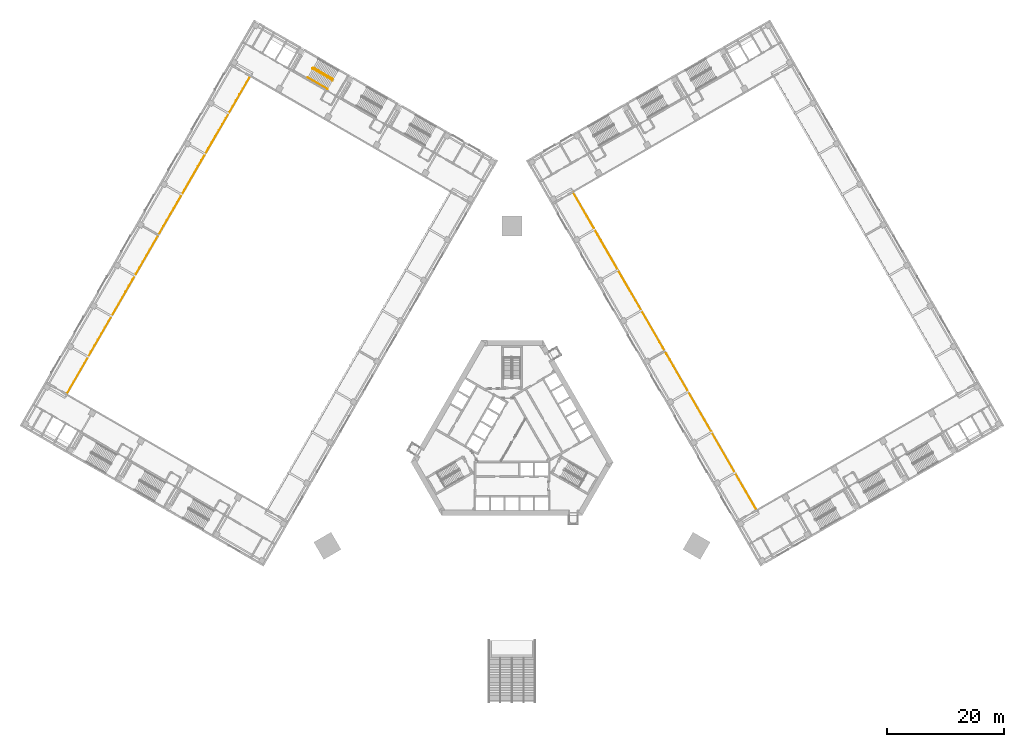
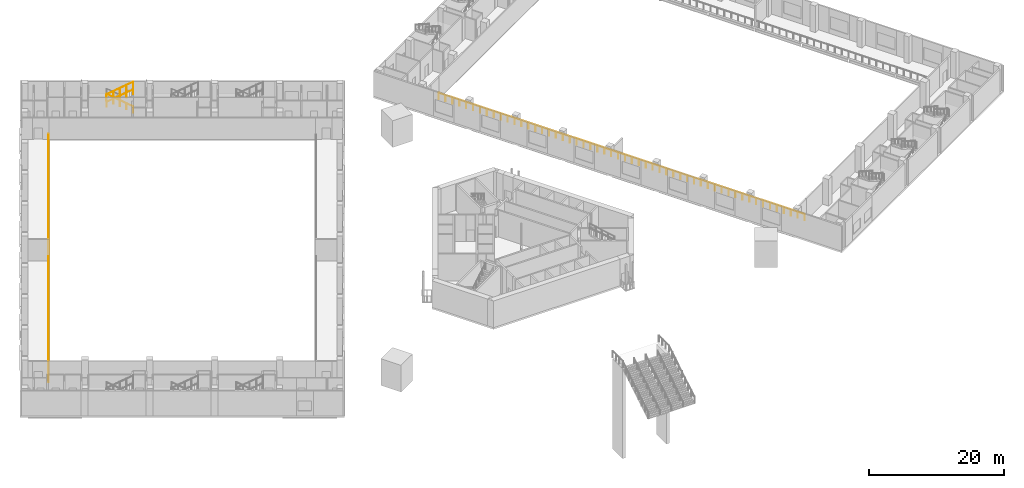
# One storey, part 24 of 28: 5 railings.
"""IFC4 building model written with IfcOpenShell, lengths in metres."""

from ifc_helpers import new_model, si_unit, direction, frame, origin, origin_2d, place, context, subcontext, project, spatial, circle, extrude, material, type_object, element, save


model = new_model("IFC4")

# Units and contexts
model_context = context("Model", 3, precision=1e-05, world=origin(), true_north=direction((0.0, 1.0)))
body_context = subcontext(model_context, "Body", "Model", "MODEL_VIEW")
ifc_project = project(units=[si_unit("LENGTHUNIT", "METRE"), si_unit("AREAUNIT", "SQUARE_METRE"), si_unit("VOLUMEUNIT", "CUBIC_METRE"), si_unit("PLANEANGLEUNIT", "RADIAN"), si_unit("MASSUNIT", "GRAM", prefix="KILO")], contexts=[model_context])

# Site, building, storey
site_placement = place(None, origin())
site = spatial("IfcSite", under=ifc_project, at=site_placement, CompositionType="ELEMENT")
building_placement = place(site_placement, origin())
building = spatial("IfcBuilding", under=site, at=building_placement, Name="Mestral Congress Tower", CompositionType="ELEMENT")
storey_placement = place(building_placement, frame((0.0, 0.0, 11.39990234375)))
storey = spatial("IfcBuildingStorey", under=building, at=storey_placement, Name="L02", CompositionType="ELEMENT", Elevation=11.39990234375)

# Railings
ifc_material_1 = material(Name="Steel balustrade", Category="steel")
railing_type_1 = type_object("IfcRailingType", Name="Podium gallery guard 1100", PredefinedType="GUARDRAIL", material=ifc_material_1)
railing_1_placement = place(storey_placement, frame((-44.76123046875, 61.92724609375, 0.0)))
element("IfcRailing", 1, at=railing_1_placement, inside=storey, type_object=railing_type_1, Name="Gallery guard", PredefinedType="GUARDRAIL", context=body_context, shape_type="SweptSolid", body=[
    extrude(circle(Radius=0.02392578125, at=origin_2d()), frame((0.0, 0.0, 1.076171875), z_axis=(-0.500000851427, -0.866024912212, 0.0), x_axis=(0.866024912212, -0.500000851427, 0.0)), (0.0, 0.0, 1.0), 62.5),
    extrude(circle(Radius=0.02099609375, at=origin_2d()), origin(), (0.0, 0.0, 1.0), 1.052001953125),
    extrude(circle(Radius=0.02099609375, at=origin_2d()), frame((-0.589599609375, -1.021240234375, 0.0)), (0.0, 0.0, 1.0), 1.052001953125),
    extrude(circle(Radius=0.02099609375, at=origin_2d()), frame((-1.17919921875, -2.04248046875, 0.0)), (0.0, 0.0, 1.0), 1.052001953125),
    extrude(circle(Radius=0.02099609375, at=origin_2d()), frame((-1.768798828125, -3.063720703125, 0.0)), (0.0, 0.0, 1.0), 1.052001953125),
    extrude(circle(Radius=0.02099609375, at=origin_2d()), frame((-2.3583984375, -4.0849609375, 0.0)), (0.0, 0.0, 1.0), 1.052001953125),
    extrude(circle(Radius=0.02099609375, at=origin_2d()), frame((-2.947998046875, -5.106201171875, 0.0)), (0.0, 0.0, 1.0), 1.052001953125),
    extrude(circle(Radius=0.02099609375, at=origin_2d()), frame((-3.537841796875, -6.12744140625, 0.0)), (0.0, 0.0, 1.0), 1.052001953125),
    extrude(circle(Radius=0.02099609375, at=origin_2d()), frame((-4.12744140625, -7.148681640625, 0.0)), (0.0, 0.0, 1.0), 1.052001953125),
    extrude(circle(Radius=0.02099609375, at=origin_2d()), frame((-4.717041015625, -8.169921875, 0.0)), (0.0, 0.0, 1.0), 1.052001953125),
    extrude(circle(Radius=0.02099609375, at=origin_2d()), frame((-5.306640625, -9.19140625, 0.0)), (0.0, 0.0, 1.0), 1.052001953125),
    extrude(circle(Radius=0.02099609375, at=origin_2d()), frame((-5.896240234375, -10.212646484375, 0.0)), (0.0, 0.0, 1.0), 1.052001953125),
    extrude(circle(Radius=0.02099609375, at=origin_2d()), frame((-6.48583984375, -11.23388671875, 0.0)), (0.0, 0.0, 1.0), 1.052001953125),
    extrude(circle(Radius=0.02099609375, at=origin_2d()), frame((-7.075439453125, -12.255126953125, 0.0)), (0.0, 0.0, 1.0), 1.052001953125),
    extrude(circle(Radius=0.02099609375, at=origin_2d()), frame((-7.6650390625, -13.2763671875, 0.0)), (0.0, 0.0, 1.0), 1.052001953125),
    extrude(circle(Radius=0.02099609375, at=origin_2d()), frame((-8.254638671875, -14.297607421875, 0.0)), (0.0, 0.0, 1.0), 1.052001953125),
    extrude(circle(Radius=0.02099609375, at=origin_2d()), frame((-8.84423828125, -15.31884765625, 0.0)), (0.0, 0.0, 1.0), 1.052001953125),
    extrude(circle(Radius=0.02099609375, at=origin_2d()), frame((-9.43408203125, -16.340087890625, 0.0)), (0.0, 0.0, 1.0), 1.052001953125),
    extrude(circle(Radius=0.02099609375, at=origin_2d()), frame((-10.023681640625, -17.361328125, 0.0)), (0.0, 0.0, 1.0), 1.052001953125),
    extrude(circle(Radius=0.02099609375, at=origin_2d()), frame((-10.61328125, -18.382568359375, 0.0)), (0.0, 0.0, 1.0), 1.052001953125),
    extrude(circle(Radius=0.02099609375, at=origin_2d()), frame((-11.202880859375, -19.40380859375, 0.0)), (0.0, 0.0, 1.0), 1.052001953125),
    extrude(circle(Radius=0.02099609375, at=origin_2d()), frame((-11.79248046875, -20.425048828125, 0.0)), (0.0, 0.0, 1.0), 1.052001953125),
    extrude(circle(Radius=0.02099609375, at=origin_2d()), frame((-12.382080078125, -21.4462890625, 0.0)), (0.0, 0.0, 1.0), 1.052001953125),
    extrude(circle(Radius=0.02099609375, at=origin_2d()), frame((-12.9716796875, -22.467529296875, 0.0)), (0.0, 0.0, 1.0), 1.052001953125),
    extrude(circle(Radius=0.02099609375, at=origin_2d()), frame((-13.561279296875, -23.48876953125, 0.0)), (0.0, 0.0, 1.0), 1.052001953125),
    extrude(circle(Radius=0.02099609375, at=origin_2d()), frame((-14.15087890625, -24.510009765625, 0.0)), (0.0, 0.0, 1.0), 1.052001953125),
    extrude(circle(Radius=0.02099609375, at=origin_2d()), frame((-14.740478515625, -25.53125, 0.0)), (0.0, 0.0, 1.0), 1.052001953125),
    extrude(circle(Radius=0.02099609375, at=origin_2d()), frame((-15.330078125, -26.552490234375, 0.0)), (0.0, 0.0, 1.0), 1.052001953125),
    extrude(circle(Radius=0.02099609375, at=origin_2d()), frame((-15.919921875, -27.573974609375, 0.0)), (0.0, 0.0, 1.0), 1.052001953125),
    extrude(circle(Radius=0.02099609375, at=origin_2d()), frame((-16.509521484375, -28.59521484375, 0.0)), (0.0, 0.0, 1.0), 1.052001953125),
    extrude(circle(Radius=0.02099609375, at=origin_2d()), frame((-17.09912109375, -29.616455078125, 0.0)), (0.0, 0.0, 1.0), 1.052001953125),
    extrude(circle(Radius=0.02099609375, at=origin_2d()), frame((-17.688720703125, -30.6376953125, 0.0)), (0.0, 0.0, 1.0), 1.052001953125),
    extrude(circle(Radius=0.02099609375, at=origin_2d()), frame((-18.2783203125, -31.658935546875, 0.0)), (0.0, 0.0, 1.0), 1.052001953125),
    extrude(circle(Radius=0.02099609375, at=origin_2d()), frame((-18.867919921875, -32.68017578125, 0.0)), (0.0, 0.0, 1.0), 1.052001953125),
    extrude(circle(Radius=0.02099609375, at=origin_2d()), frame((-19.45751953125, -33.701416015625, 0.0)), (0.0, 0.0, 1.0), 1.052001953125),
    extrude(circle(Radius=0.02099609375, at=origin_2d()), frame((-20.047119140625, -34.72265625, 0.0)), (0.0, 0.0, 1.0), 1.052001953125),
    extrude(circle(Radius=0.02099609375, at=origin_2d()), frame((-20.63671875, -35.743896484375, 0.0)), (0.0, 0.0, 1.0), 1.052001953125),
    extrude(circle(Radius=0.02099609375, at=origin_2d()), frame((-21.226318359375, -36.76513671875, 0.0)), (0.0, 0.0, 1.0), 1.052001953125),
    extrude(circle(Radius=0.02099609375, at=origin_2d()), frame((-21.81591796875, -37.786376953125, 0.0)), (0.0, 0.0, 1.0), 1.052001953125),
    extrude(circle(Radius=0.02099609375, at=origin_2d()), frame((-22.40576171875, -38.8076171875, 0.0)), (0.0, 0.0, 1.0), 1.052001953125),
    extrude(circle(Radius=0.02099609375, at=origin_2d()), frame((-22.995361328125, -39.828857421875, 0.0)), (0.0, 0.0, 1.0), 1.052001953125),
    extrude(circle(Radius=0.02099609375, at=origin_2d()), frame((-23.5849609375, -40.85009765625, 0.0)), (0.0, 0.0, 1.0), 1.052001953125),
    extrude(circle(Radius=0.02099609375, at=origin_2d()), frame((-24.174560546875, -41.871337890625, 0.0)), (0.0, 0.0, 1.0), 1.052001953125),
    extrude(circle(Radius=0.02099609375, at=origin_2d()), frame((-24.76416015625, -42.892578125, 0.0)), (0.0, 0.0, 1.0), 1.052001953125),
    extrude(circle(Radius=0.02099609375, at=origin_2d()), frame((-25.353759765625, -43.913818359375, 0.0)), (0.0, 0.0, 1.0), 1.052001953125),
    extrude(circle(Radius=0.02099609375, at=origin_2d()), frame((-25.943359375, -44.93505859375, 0.0)), (0.0, 0.0, 1.0), 1.052001953125),
    extrude(circle(Radius=0.02099609375, at=origin_2d()), frame((-26.532958984375, -45.95654296875, 0.0)), (0.0, 0.0, 1.0), 1.052001953125),
    extrude(circle(Radius=0.02099609375, at=origin_2d()), frame((-27.12255859375, -46.977783203125, 0.0)), (0.0, 0.0, 1.0), 1.052001953125),
    extrude(circle(Radius=0.02099609375, at=origin_2d()), frame((-27.712158203125, -47.9990234375, 0.0)), (0.0, 0.0, 1.0), 1.052001953125),
    extrude(circle(Radius=0.02099609375, at=origin_2d()), frame((-28.302001953125, -49.020263671875, 0.0)), (0.0, 0.0, 1.0), 1.052001953125),
    extrude(circle(Radius=0.02099609375, at=origin_2d()), frame((-28.8916015625, -50.04150390625, 0.0)), (0.0, 0.0, 1.0), 1.052001953125),
    extrude(circle(Radius=0.02099609375, at=origin_2d()), frame((-29.481201171875, -51.062744140625, 0.0)), (0.0, 0.0, 1.0), 1.052001953125),
    extrude(circle(Radius=0.02099609375, at=origin_2d()), frame((-30.07080078125, -52.083984375, 0.0)), (0.0, 0.0, 1.0), 1.052001953125),
    extrude(circle(Radius=0.02099609375, at=origin_2d()), frame((-30.660400390625, -53.105224609375, 0.0)), (0.0, 0.0, 1.0), 1.052001953125),
    extrude(circle(Radius=0.02099609375, at=origin_2d()), frame((-31.25, -54.12646484375, 0.0)), (0.0, 0.0, 1.0), 1.052001953125),
])
railing_2_placement = place(storey_placement, frame((41.716552734375, -11.999267578125, 0.0)))
element("IfcRailing", 2, at=railing_2_placement, inside=storey, type_object=railing_type_1, Name="Gallery guard", PredefinedType="GUARDRAIL", context=body_context, shape_type="SweptSolid", body=[
    extrude(circle(Radius=0.02392578125, at=origin_2d()), frame((0.0, 0.0, 1.076171875), z_axis=(-0.500000851427, 0.866024912212, 0.0), x_axis=(-0.866024912212, -0.500000851427, 0.0)), (0.0, 0.0, 1.0), 62.5),
    extrude(circle(Radius=0.02099609375, at=origin_2d()), origin(), (0.0, 0.0, 1.0), 1.052001953125),
    extrude(circle(Radius=0.02099609375, at=origin_2d()), frame((-0.589599609375, 1.021240234375, 0.0)), (0.0, 0.0, 1.0), 1.052001953125),
    extrude(circle(Radius=0.02099609375, at=origin_2d()), frame((-1.17919921875, 2.04248046875, 0.0)), (0.0, 0.0, 1.0), 1.052001953125),
    extrude(circle(Radius=0.02099609375, at=origin_2d()), frame((-1.768798828125, 3.063720703125, 0.0)), (0.0, 0.0, 1.0), 1.052001953125),
    extrude(circle(Radius=0.02099609375, at=origin_2d()), frame((-2.3583984375, 4.0849609375, 0.0)), (0.0, 0.0, 1.0), 1.052001953125),
    extrude(circle(Radius=0.02099609375, at=origin_2d()), frame((-2.947998046875, 5.106201171875, 0.0)), (0.0, 0.0, 1.0), 1.052001953125),
    extrude(circle(Radius=0.02099609375, at=origin_2d()), frame((-3.537841796875, 6.12744140625, 0.0)), (0.0, 0.0, 1.0), 1.052001953125),
    extrude(circle(Radius=0.02099609375, at=origin_2d()), frame((-4.12744140625, 7.148681640625, 0.0)), (0.0, 0.0, 1.0), 1.052001953125),
    extrude(circle(Radius=0.02099609375, at=origin_2d()), frame((-4.717041015625, 8.169921875, 0.0)), (0.0, 0.0, 1.0), 1.052001953125),
    extrude(circle(Radius=0.02099609375, at=origin_2d()), frame((-5.306640625, 9.19140625, 0.0)), (0.0, 0.0, 1.0), 1.052001953125),
    extrude(circle(Radius=0.02099609375, at=origin_2d()), frame((-5.896240234375, 10.212646484375, 0.0)), (0.0, 0.0, 1.0), 1.052001953125),
    extrude(circle(Radius=0.02099609375, at=origin_2d()), frame((-6.48583984375, 11.23388671875, 0.0)), (0.0, 0.0, 1.0), 1.052001953125),
    extrude(circle(Radius=0.02099609375, at=origin_2d()), frame((-7.075439453125, 12.255126953125, 0.0)), (0.0, 0.0, 1.0), 1.052001953125),
    extrude(circle(Radius=0.02099609375, at=origin_2d()), frame((-7.6650390625, 13.2763671875, 0.0)), (0.0, 0.0, 1.0), 1.052001953125),
    extrude(circle(Radius=0.02099609375, at=origin_2d()), frame((-8.254638671875, 14.297607421875, 0.0)), (0.0, 0.0, 1.0), 1.052001953125),
    extrude(circle(Radius=0.02099609375, at=origin_2d()), frame((-8.84423828125, 15.31884765625, 0.0)), (0.0, 0.0, 1.0), 1.052001953125),
    extrude(circle(Radius=0.02099609375, at=origin_2d()), frame((-9.43408203125, 16.340087890625, 0.0)), (0.0, 0.0, 1.0), 1.052001953125),
    extrude(circle(Radius=0.02099609375, at=origin_2d()), frame((-10.023681640625, 17.361328125, 0.0)), (0.0, 0.0, 1.0), 1.052001953125),
    extrude(circle(Radius=0.02099609375, at=origin_2d()), frame((-10.61328125, 18.382568359375, 0.0)), (0.0, 0.0, 1.0), 1.052001953125),
    extrude(circle(Radius=0.02099609375, at=origin_2d()), frame((-11.202880859375, 19.40380859375, 0.0)), (0.0, 0.0, 1.0), 1.052001953125),
    extrude(circle(Radius=0.02099609375, at=origin_2d()), frame((-11.79248046875, 20.425048828125, 0.0)), (0.0, 0.0, 1.0), 1.052001953125),
    extrude(circle(Radius=0.02099609375, at=origin_2d()), frame((-12.382080078125, 21.4462890625, 0.0)), (0.0, 0.0, 1.0), 1.052001953125),
    extrude(circle(Radius=0.02099609375, at=origin_2d()), frame((-12.9716796875, 22.467529296875, 0.0)), (0.0, 0.0, 1.0), 1.052001953125),
    extrude(circle(Radius=0.02099609375, at=origin_2d()), frame((-13.561279296875, 23.48876953125, 0.0)), (0.0, 0.0, 1.0), 1.052001953125),
    extrude(circle(Radius=0.02099609375, at=origin_2d()), frame((-14.15087890625, 24.510009765625, 0.0)), (0.0, 0.0, 1.0), 1.052001953125),
    extrude(circle(Radius=0.02099609375, at=origin_2d()), frame((-14.740478515625, 25.53125, 0.0)), (0.0, 0.0, 1.0), 1.052001953125),
    extrude(circle(Radius=0.02099609375, at=origin_2d()), frame((-15.330078125, 26.552490234375, 0.0)), (0.0, 0.0, 1.0), 1.052001953125),
    extrude(circle(Radius=0.02099609375, at=origin_2d()), frame((-15.919921875, 27.573974609375, 0.0)), (0.0, 0.0, 1.0), 1.052001953125),
    extrude(circle(Radius=0.02099609375, at=origin_2d()), frame((-16.509521484375, 28.59521484375, 0.0)), (0.0, 0.0, 1.0), 1.052001953125),
    extrude(circle(Radius=0.02099609375, at=origin_2d()), frame((-17.09912109375, 29.616455078125, 0.0)), (0.0, 0.0, 1.0), 1.052001953125),
    extrude(circle(Radius=0.02099609375, at=origin_2d()), frame((-17.688720703125, 30.6376953125, 0.0)), (0.0, 0.0, 1.0), 1.052001953125),
    extrude(circle(Radius=0.02099609375, at=origin_2d()), frame((-18.2783203125, 31.658935546875, 0.0)), (0.0, 0.0, 1.0), 1.052001953125),
    extrude(circle(Radius=0.02099609375, at=origin_2d()), frame((-18.867919921875, 32.68017578125, 0.0)), (0.0, 0.0, 1.0), 1.052001953125),
    extrude(circle(Radius=0.02099609375, at=origin_2d()), frame((-19.45751953125, 33.701416015625, 0.0)), (0.0, 0.0, 1.0), 1.052001953125),
    extrude(circle(Radius=0.02099609375, at=origin_2d()), frame((-20.047119140625, 34.72265625, 0.0)), (0.0, 0.0, 1.0), 1.052001953125),
    extrude(circle(Radius=0.02099609375, at=origin_2d()), frame((-20.63671875, 35.743896484375, 0.0)), (0.0, 0.0, 1.0), 1.052001953125),
    extrude(circle(Radius=0.02099609375, at=origin_2d()), frame((-21.226318359375, 36.76513671875, 0.0)), (0.0, 0.0, 1.0), 1.052001953125),
    extrude(circle(Radius=0.02099609375, at=origin_2d()), frame((-21.81591796875, 37.786376953125, 0.0)), (0.0, 0.0, 1.0), 1.052001953125),
    extrude(circle(Radius=0.02099609375, at=origin_2d()), frame((-22.40576171875, 38.8076171875, 0.0)), (0.0, 0.0, 1.0), 1.052001953125),
    extrude(circle(Radius=0.02099609375, at=origin_2d()), frame((-22.995361328125, 39.828857421875, 0.0)), (0.0, 0.0, 1.0), 1.052001953125),
    extrude(circle(Radius=0.02099609375, at=origin_2d()), frame((-23.5849609375, 40.85009765625, 0.0)), (0.0, 0.0, 1.0), 1.052001953125),
    extrude(circle(Radius=0.02099609375, at=origin_2d()), frame((-24.174560546875, 41.871337890625, 0.0)), (0.0, 0.0, 1.0), 1.052001953125),
    extrude(circle(Radius=0.02099609375, at=origin_2d()), frame((-24.76416015625, 42.892578125, 0.0)), (0.0, 0.0, 1.0), 1.052001953125),
    extrude(circle(Radius=0.02099609375, at=origin_2d()), frame((-25.353759765625, 43.913818359375, 0.0)), (0.0, 0.0, 1.0), 1.052001953125),
    extrude(circle(Radius=0.02099609375, at=origin_2d()), frame((-25.943359375, 44.93505859375, 0.0)), (0.0, 0.0, 1.0), 1.052001953125),
    extrude(circle(Radius=0.02099609375, at=origin_2d()), frame((-26.532958984375, 45.95654296875, 0.0)), (0.0, 0.0, 1.0), 1.052001953125),
    extrude(circle(Radius=0.02099609375, at=origin_2d()), frame((-27.12255859375, 46.977783203125, 0.0)), (0.0, 0.0, 1.0), 1.052001953125),
    extrude(circle(Radius=0.02099609375, at=origin_2d()), frame((-27.712158203125, 47.9990234375, 0.0)), (0.0, 0.0, 1.0), 1.052001953125),
    extrude(circle(Radius=0.02099609375, at=origin_2d()), frame((-28.302001953125, 49.020263671875, 0.0)), (0.0, 0.0, 1.0), 1.052001953125),
    extrude(circle(Radius=0.02099609375, at=origin_2d()), frame((-28.8916015625, 50.04150390625, 0.0)), (0.0, 0.0, 1.0), 1.052001953125),
    extrude(circle(Radius=0.02099609375, at=origin_2d()), frame((-29.481201171875, 51.062744140625, 0.0)), (0.0, 0.0, 1.0), 1.052001953125),
    extrude(circle(Radius=0.02099609375, at=origin_2d()), frame((-30.07080078125, 52.083984375, 0.0)), (0.0, 0.0, 1.0), 1.052001953125),
    extrude(circle(Radius=0.02099609375, at=origin_2d()), frame((-30.660400390625, 53.105224609375, 0.0)), (0.0, 0.0, 1.0), 1.052001953125),
    extrude(circle(Radius=0.02099609375, at=origin_2d()), frame((-31.25, 54.12646484375, 0.0)), (0.0, 0.0, 1.0), 1.052001953125),
])
railing_type_2 = type_object("IfcRailingType", Name="Podium stair guard 1100", PredefinedType="GUARDRAIL", material=ifc_material_1)
railing_3_placement = place(storey_placement, frame((-30.517578125, 61.498046875, 0.16015625)))
element("IfcRailing", 3, at=railing_3_placement, inside=storey, type_object=railing_type_2, Name="L02 PS-W3 stair guard 1", PredefinedType="GUARDRAIL", context=body_context, shape_type="SweptSolid", body=[
    extrude(circle(Radius=0.02392578125, at=origin_2d()), frame((0.0, 0.0, 1.076171875), z_axis=(-0.751919994781, 0.434118210579, 0.496142822878), x_axis=(-0.499997407846, -0.86602690036, 0.0)), (0.0, 0.0, 1.0), 4.514892578125),
    extrude(circle(Radius=0.02392578125, at=origin_2d()), frame((-3.394775390625, 1.9599609375, 3.31591796875), z_axis=(-0.695164929852, -0.718850276695, 0.0), x_axis=(0.718850276695, -0.695164929852, 0.0)), (0.0, 0.0, 1.0), 0.2060546875),
    extrude(circle(Radius=0.02099609375, at=origin_2d()), origin(), (0.0, 0.0, 1.0), 1.052001953125),
    extrude(circle(Radius=0.02099609375, at=origin_2d()), frame((-0.8486328125, 0.489990234375, 0.56005859375)), (0.0, 0.0, 1.0), 1.052001953125),
    extrude(circle(Radius=0.02099609375, at=origin_2d()), frame((-1.697265625, 0.97998046875, 1.1201171875)), (0.0, 0.0, 1.0), 1.052001953125),
    extrude(circle(Radius=0.02099609375, at=origin_2d()), frame((-2.546142578125, 1.469970703125, 1.679931640625)), (0.0, 0.0, 1.0), 1.052001953125),
    extrude(circle(Radius=0.02099609375, at=origin_2d()), frame((-3.394775390625, 1.9599609375, 2.239990234375)), (0.0, 0.0, 1.0), 1.052001953125),
    extrude(circle(Radius=0.02099609375, at=origin_2d()), frame((-3.5380859375, 1.811767578125, 2.239990234375)), (0.0, 0.0, 1.0), 1.052001953125),
])
railing_4_placement = place(storey_placement, frame((-34.037353515625, 63.241455078125, 2.56005859375)))
element("IfcRailing", 4, at=railing_4_placement, inside=storey, type_object=railing_type_2, Name="L02 PS-W3 stair guard 2", PredefinedType="GUARDRAIL", context=body_context, shape_type="SweptSolid", body=[
    extrude(circle(Radius=0.02392578125, at=origin_2d()), frame((0.0, 0.0, 1.076171875), z_axis=(0.751919994781, -0.434118210579, 0.496142822878), x_axis=(0.499997407846, 0.86602690036, 0.0)), (0.0, 0.0, 1.0), 4.514892578125),
    extrude(circle(Radius=0.02099609375, at=origin_2d()), origin(), (0.0, 0.0, 1.0), 1.052001953125),
    extrude(circle(Radius=0.02099609375, at=origin_2d()), frame((0.8486328125, -0.489990234375, 0.56005859375)), (0.0, 0.0, 1.0), 1.052001953125),
    extrude(circle(Radius=0.02099609375, at=origin_2d()), frame((1.697265625, -0.97998046875, 1.1201171875)), (0.0, 0.0, 1.0), 1.052001953125),
    extrude(circle(Radius=0.02099609375, at=origin_2d()), frame((2.546142578125, -1.469970703125, 1.679931640625)), (0.0, 0.0, 1.0), 1.052001953125),
    extrude(circle(Radius=0.02099609375, at=origin_2d()), frame((3.394775390625, -1.9599609375, 2.239990234375)), (0.0, 0.0, 1.0), 1.052001953125),
])
ifc_material_2 = material(Name="Steel handrail", Category="steel")
railing_type_3 = type_object("IfcRailingType", Name="Podium stair handrail 900", PredefinedType="HANDRAIL", material=ifc_material_2)
railing_5_placement = place(storey_placement, frame((-34.887451171875, 61.769287109375, 2.56005859375)))
element("IfcRailing", 5, at=railing_5_placement, inside=storey, type_object=railing_type_3, Name="L02 PS-W3 stair handrail 2", PredefinedType="HANDRAIL", context=body_context, shape_type="SweptSolid", body=[
    extrude(circle(Radius=0.02392578125, at=origin_2d()), frame((0.0, 0.0, 0.8759765625), z_axis=(0.751943495447, -0.434100559575, 0.496122649988), x_axis=(0.499970440388, 0.866042469362, 0.0)), (0.0, 0.0, 1.0), 4.514892578125),
    extrude(circle(Radius=0.02099609375, at=origin_2d()), origin(), (0.0, 0.0, 1.0), 0.851806640625),
    extrude(circle(Radius=0.02099609375, at=origin_2d()), frame((0.8486328125, -0.489990234375, 0.56005859375)), (0.0, 0.0, 1.0), 0.851806640625),
    extrude(circle(Radius=0.02099609375, at=origin_2d()), frame((1.697509765625, -0.97998046875, 1.1201171875)), (0.0, 0.0, 1.0), 0.851806640625),
    extrude(circle(Radius=0.02099609375, at=origin_2d()), frame((2.54638671875, -1.469970703125, 1.679931640625)), (0.0, 0.0, 1.0), 0.851806640625),
    extrude(circle(Radius=0.02099609375, at=origin_2d()), frame((3.39501953125, -1.9599609375, 2.239990234375)), (0.0, 0.0, 1.0), 0.851806640625),
])

save(model, "model.ifc")
